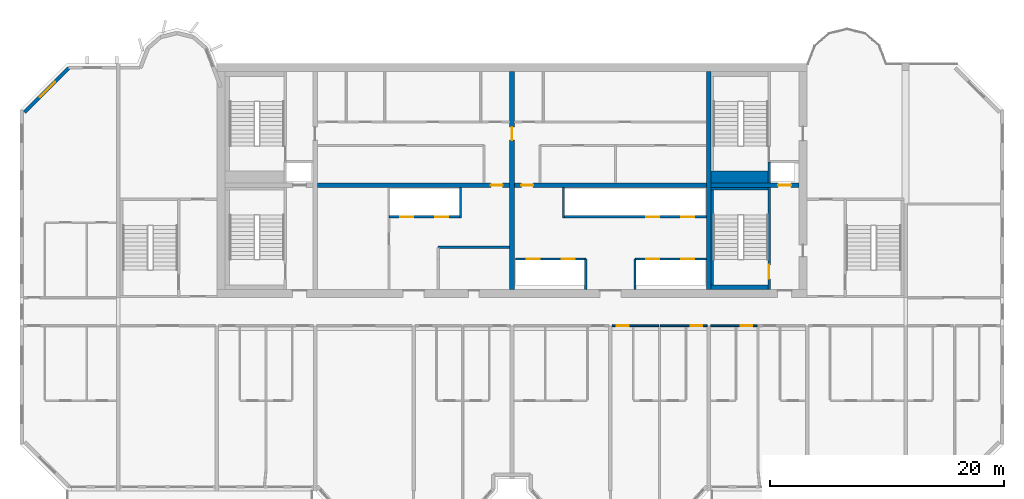
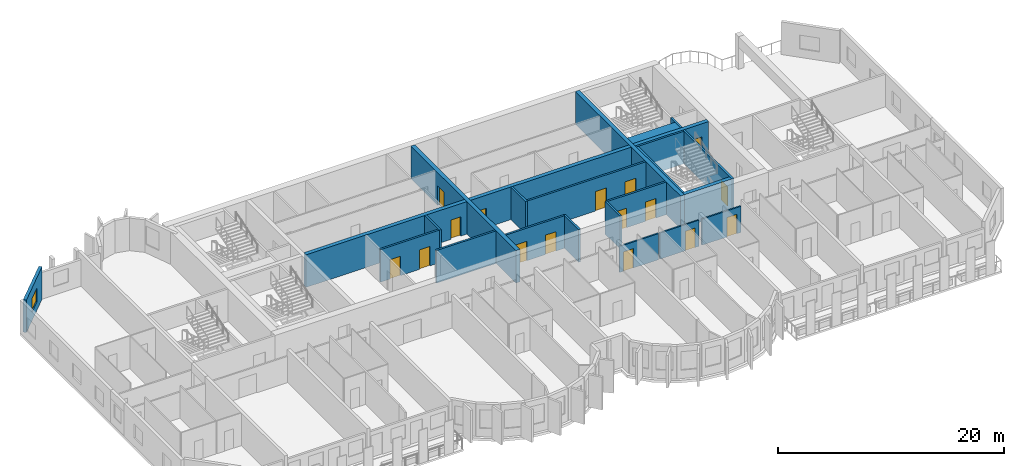
# One storey, part 6 of 13: 24 walls, 16 doors, 1 window, 17 openings.
"""IFC4 building model written with IfcOpenShell, lengths in metres."""

import ifcopenshell
import ifcopenshell.guid

model = None  # the IFC model being written
_history = None  # IfcOwnerHistory: only IFC2X3 demands one
_inside = {}  # id of a spatial element -> (the spatial element, [elements in it])
_under = {}  # id of a project, library or spatial element -> (it, [spatial elements below it])
_declared = {}  # id of a project -> (the project, [libraries it declares])
_typed = {}  # id of a type object -> (the type object, [elements of that type])
_made_of = {}  # id of a material, layer set ... -> (it, [elements and type objects made of it])


def new_model(schema):
    """Start an empty IFC model of exactly this schema.

    Asked for "IFC4X3", IfcOpenShell would pick the latest addendum, in which some entities
    have other attributes; the version numbers below select the first issue.
    IFC2X3 requires an IfcOwnerHistory on every rooted entity: one is made here for all.
    """
    global model, _history
    if schema == "IFC4X3":
        model = ifcopenshell.file(schema_version=(4, 3, 0, 0))
    else:
        model = ifcopenshell.file(schema=schema)
    _inside.clear()
    _under.clear()
    _declared.clear()
    _typed.clear()
    _made_of.clear()
    _history = None
    if model.schema == "IFC2X3":
        org = make("IfcOrganization", Name="unknown")
        user = make(
            "IfcPersonAndOrganization",
            ThePerson=make("IfcPerson", FamilyName="unknown"),
            TheOrganization=org,
        )
        app = make(
            "IfcApplication",
            ApplicationDeveloper=org,
            Version="unknown",
            ApplicationFullName="unknown",
            ApplicationIdentifier="unknown",
        )
        _history = make(
            "IfcOwnerHistory",
            OwningUser=user,
            OwningApplication=app,
            ChangeAction="ADDED",
            CreationDate=0,
        )
    return model


def make(cls, **values):
    """One entity of the class cls with the attributes given. An attribute that is None is left unset."""
    return model.create_entity(
        cls, **{name: value for name, value in values.items() if value is not None}
    )


def rooted(cls, **values):
    """An entity with a GlobalId (a new one), such as an element, a storey or a relation."""
    return make(cls, GlobalId=ifcopenshell.guid.new(), OwnerHistory=_history, **values)


def si_unit(unit_type, name, prefix=None):
    """IfcSIUnit, for example si_unit("LENGTHUNIT", "METRE", prefix="MILLI")."""
    return make("IfcSIUnit", UnitType=unit_type, Prefix=prefix, Name=name)


def assignment(units):
    """IfcUnitAssignment: the units of a project."""
    return None if units is None else make("IfcUnitAssignment", Units=units)


def point(xyz):
    """IfcCartesianPoint."""
    return None if xyz is None else make("IfcCartesianPoint", Coordinates=xyz)


def direction(xyz):
    """IfcDirection."""
    return None if xyz is None else make("IfcDirection", DirectionRatios=xyz)


def frame(location, z_axis=None, x_axis=None):
    """IfcAxis2Placement3D, a coordinate frame: its origin and axes. An axis left out is left unset."""
    return make(
        "IfcAxis2Placement3D",
        Location=point(location),
        Axis=direction(z_axis),
        RefDirection=direction(x_axis),
    )


def frame_2d(location, x_axis=None):
    """IfcAxis2Placement2D, a coordinate frame in the plane: its origin and x axis."""
    return make(
        "IfcAxis2Placement2D", Location=point(location), RefDirection=direction(x_axis)
    )


def origin():
    """The frame at (0, 0, 0) with its axes left unset."""
    return frame((0.0, 0.0, 0.0))


def place(relative_to, where):
    """IfcLocalPlacement: puts the frame where relative to a parent placement (None: the world)."""
    return make(
        "IfcLocalPlacement", PlacementRelTo=relative_to, RelativePlacement=where
    )


def context(
    kind, dimensions, precision=None, world=None, true_north=None, identifier=None
):
    """IfcGeometricRepresentationContext, for example the 3D "Model" context."""
    return make(
        "IfcGeometricRepresentationContext",
        ContextIdentifier=identifier,
        ContextType=kind,
        CoordinateSpaceDimension=dimensions,
        Precision=precision,
        WorldCoordinateSystem=world,
        TrueNorth=true_north,
    )


def subcontext(parent, identifier, kind, view, scale=None):
    """IfcGeometricRepresentationSubContext, for example "Body" below "Model"."""
    return make(
        "IfcGeometricRepresentationSubContext",
        ContextIdentifier=identifier,
        ContextType=kind,
        ParentContext=parent,
        TargetScale=scale,
        TargetView=view,
    )


def project(units=None, contexts=None):
    """IfcProject with its units and contexts."""
    return rooted(
        "IfcProject",
        Name="project",
        RepresentationContexts=contexts,
        UnitsInContext=assignment(units),
    )


def spatial(cls, under=None, at=None, **own):
    """A site, building, storey or space (cls), placed at a placement, below another one or the project."""
    s = rooted(cls, ObjectPlacement=at, **own)
    if under is not None:
        _under.setdefault(under.id(), (under, []))[1].append(s)
    return s


def profile(cls, at=None, kind="AREA", **sizes):
    """A parametric profile (cls). Its sizes go by their IFC names, for example OverallWidth=200.0."""
    return make(cls, ProfileType=kind, Position=at, **sizes)


def rectangle(**sizes):
    """IfcRectangleProfileDef."""
    return profile("IfcRectangleProfileDef", **sizes)


def extrude(swept, where, along, depth):
    """IfcExtrudedAreaSolid: the profile swept, set in the frame where, extruded along a direction by depth."""
    return make(
        "IfcExtrudedAreaSolid",
        SweptArea=swept,
        Position=where,
        ExtrudedDirection=direction(along),
        Depth=depth,
    )


def shape(context_of_items, identifier, shape_type, items):
    """IfcShapeRepresentation: the items that make up one representation, for example the "Body"."""
    return make(
        "IfcShapeRepresentation",
        ContextOfItems=context_of_items,
        RepresentationIdentifier=identifier,
        RepresentationType=shape_type,
        Items=items,
    )


def source(mapping_origin, context_of_items, identifier, shape_type, items):
    """IfcRepresentationMap: a shape defined once, which mapped items show again and again."""
    return make(
        "IfcRepresentationMap",
        MappingOrigin=mapping_origin,
        MappedRepresentation=shape(context_of_items, identifier, shape_type, items),
    )


def transform(
    local_origin,
    x_axis=None,
    y_axis=None,
    z_axis=None,
    scale=None,
    scale2=None,
    scale3=None,
    uniform=True,
):
    """IfcCartesianTransformationOperator3D, or its non-uniform kind. x_axis, y_axis, z_axis: its Axis1, 2, 3."""
    if uniform:
        return make(
            "IfcCartesianTransformationOperator3D",
            Axis1=direction(x_axis),
            Axis2=direction(y_axis),
            LocalOrigin=point(local_origin),
            Scale=scale,
            Axis3=direction(z_axis),
        )
    return make(
        "IfcCartesianTransformationOperator3DnonUniform",
        Axis1=direction(x_axis),
        Axis2=direction(y_axis),
        LocalOrigin=point(local_origin),
        Scale=scale,
        Axis3=direction(z_axis),
        Scale2=scale2,
        Scale3=scale3,
    )


def mapped(mapping_source, mapping_target):
    """IfcMappedItem: shows the shape of a source again, moved by a transform."""
    return make(
        "IfcMappedItem", MappingSource=mapping_source, MappingTarget=mapping_target
    )


def material(Name=None, Category=None):
    """IfcMaterial."""
    return make("IfcMaterial", Name=Name, Category=Category)


def layer(
    of_material, thickness, ventilated=None, Name=None, Category=None, Priority=None
):
    """IfcMaterialLayer: one layer of a wall or slab, of a material (None: an air gap)."""
    return make(
        "IfcMaterialLayer",
        Material=of_material,
        LayerThickness=thickness,
        IsVentilated=ventilated,
        Name=Name,
        Category=Category,
        Priority=Priority,
    )


def layer_set(layers, Name=None):
    """IfcMaterialLayerSet."""
    return make("IfcMaterialLayerSet", MaterialLayers=layers, LayerSetName=Name)


def made_of(thing, what):
    """Note that an element or type object is made of a material, layer set ...; save() writes the relation."""
    if what is not None:
        _made_of.setdefault(what.id(), (what, []))[1].append(thing)
    return thing


def type_object(cls, material=None, **own):
    """A type object (cls), such as IfcWallType, which elements share."""
    return made_of(rooted(cls, **own), material)


def element(
    cls,
    number,
    at=None,
    inside=None,
    cuts=None,
    type_object=None,
    material=None,
    context=None,
    identifier="Body",
    shape_type=None,
    held_by="IfcProductDefinitionShape",
    body=None,
    shapes=None,
    **own,
):
    """One element of the class cls, such as IfcWall. Its Tag is "e" and its number.

    at: its placement. inside: the storey or other place that contains it. cuts: it is an
    opening in that element (IfcRelVoidsElement). A single representation is given by context,
    identifier, shape_type and body (its items); several are given by shapes. held_by: the class
    of the entity that holds the representations. save() writes the other relations.
    """
    e = rooted(cls, Tag="e%d" % number, ObjectPlacement=at, **own)
    if body is not None:
        shapes = [shape(context, identifier, shape_type, body)]
    if shapes is not None:
        e.Representation = make(held_by, Representations=shapes)
    if inside is not None:
        _inside.setdefault(inside.id(), (inside, []))[1].append(e)
    if cuts is not None:
        rooted(
            "IfcRelVoidsElement", RelatingBuildingElement=cuts, RelatedOpeningElement=e
        )
    if type_object is not None:
        _typed.setdefault(type_object.id(), (type_object, []))[1].append(e)
    return made_of(e, material)


def fill(opening, filler):
    """IfcRelFillsElement: the door or window that sits in an opening."""
    return rooted(
        "IfcRelFillsElement",
        RelatingOpeningElement=opening,
        RelatedBuildingElement=filler,
    )


def aggregate(whole, parts):
    """IfcRelAggregates: a whole, such as a stair, and the parts it consists of."""
    return rooted("IfcRelAggregates", RelatingObject=whole, RelatedObjects=parts)


def save(model, path):
    """Write the relations noted so far, then the file.

    IfcRelAggregates (storeys below a building ...), IfcRelContainedInSpatialStructure (elements
    in a storey), IfcRelDefinesByType, IfcRelAssociatesMaterial and IfcRelDeclares: one each for
    every whole, place, type object, material and project.
    """
    for whole, parts in _under.values():
        aggregate(whole, parts)
    for where, things in _inside.values():
        rooted(
            "IfcRelContainedInSpatialStructure",
            RelatedElements=things,
            RelatingStructure=where,
        )
    for kind, things in _typed.values():
        rooted("IfcRelDefinesByType", RelatedObjects=things, RelatingType=kind)
    for what, things in _made_of.values():
        rooted("IfcRelAssociatesMaterial", RelatedObjects=things, RelatingMaterial=what)
    for by, libraries in _declared.values():
        rooted("IfcRelDeclares", RelatingContext=by, RelatedDefinitions=libraries)
    model.write(path)


model = new_model("IFC4")

# Units and contexts
model_context = context("Model", 3, precision=1e-05, world=origin(), true_north=direction((0.0, 1.0)))
body_context = subcontext(model_context, "Body", "Model", "MODEL_VIEW")
ifc_project = project(units=[si_unit("LENGTHUNIT", "METRE"), si_unit("AREAUNIT", "SQUARE_METRE"), si_unit("VOLUMEUNIT", "CUBIC_METRE"), si_unit("PLANEANGLEUNIT", "RADIAN"), si_unit("MASSUNIT", "GRAM", prefix="KILO")], contexts=[model_context])

# Site, building, storey
site_placement = place(None, origin())
site = spatial("IfcSite", under=ifc_project, at=site_placement, CompositionType="ELEMENT")
building_placement = place(site_placement, origin())
building = spatial("IfcBuilding", under=site, at=building_placement, Name="Vanashikhar Sky Hotel", CompositionType="ELEMENT")
storey_placement = place(building_placement, frame((0.0, 0.0, 155.39990234375)))
storey = spatial("IfcBuildingStorey", under=building, at=storey_placement, Name="L37", CompositionType="ELEMENT", Elevation=155.39990234375)

# Wall, opening, door
ifc_material_1 = material(Name="Concrete M60", Category="concrete")
ifc_layer_1 = layer(ifc_material_1, 0.39990234375)
ifc_layer_set_1 = layer_set([ifc_layer_1], Name="RC core inner wall 400 Concrete M60")
wall_type_1 = type_object("IfcWallType", Name="RC core inner wall 400 Concrete M60", PredefinedType="SHEAR", material=ifc_layer_set_1)
shared_shape_1 = source(origin(), body_context, "Body", "SweptSolid", [
    extrude(rectangle(XDim=18.60009765625, YDim=0.39990234375, at=frame_2d((9.300048828125, 0.0))), origin(), (0.0, 0.0, 1.0), 3.52001953125),
])
wall_1_placement = place(storey_placement, frame((50.39990234375, 22.699951171875, 0.0), z_axis=(0.0, 0.0, 1.0), x_axis=(0.0, 1.0, 0.0)))
wall_1 = element("IfcWall", 1, at=wall_1_placement, inside=storey, type_object=wall_type_1, Name="KW-L37-KX2", PredefinedType="SHEAR", context=body_context, shape_type="MappedRepresentation", body=[
    mapped(shared_shape_1, transform((0.0, 0.0, 0.0), scale=1.0)),
])
shared_shape_2 = source(origin(), body_context, "Body", "SweptSolid", [
    extrude(rectangle(XDim=1.10009765625, YDim=2.10009765625, at=frame_2d((0.550048828125, 1.050048828125))), frame((0.0, 0.2099609375, 0.0), z_axis=(0.0, -1.0, 0.0), x_axis=(1.0, 0.0, 0.0)), (0.0, 0.0, 1.0), 0.419921875),
])
opening_1_placement = place(wall_1_placement, frame((12.75, 0.0, 0.0)))
opening_1 = element("IfcOpeningElement", 2, at=opening_1_placement, cuts=wall_1, Name="Opening DC-4-C", PredefinedType="OPENING", context=body_context, shape_type="MappedRepresentation", body=[
    mapped(shared_shape_2, transform((0.0, 0.0, 0.0), scale=1.0)),
])
ifc_material_2 = material(Name="Steel", Category="steel")
door_type_1 = type_object("IfcDoorType", Name="Service door 1100 FD60", OperationType="NOTDEFINED", PredefinedType="DOOR", material=ifc_material_2)
shared_shape_3 = source(origin(), body_context, "Body", "SweptSolid", [
    extrude(rectangle(XDim=1.10009765625, YDim=2.10009765625, at=frame_2d((0.550048828125, 1.050048828125))), frame((0.0, 0.02490234375, 0.0), z_axis=(0.0, -1.0, 0.0), x_axis=(1.0, 0.0, 0.0)), (0.0, 0.0, 1.0), 0.050048828125),
])
door_1_placement = place(opening_1_placement, origin())
door_1 = element("IfcDoor", 3, at=door_1_placement, inside=storey, type_object=door_type_1, Name="Service door 1100 FD60", OperationType="SINGLE_SWING_LEFT", OverallHeight=2.10009765625, OverallWidth=1.10009765625, PredefinedType="DOOR", context=body_context, shape_type="MappedRepresentation", body=[
    mapped(shared_shape_3, transform((0.0, 0.0, 0.0), scale=1.0)),
])
fill(opening_1, door_1)

# Wall
wall_2_placement = place(storey_placement, frame((67.199951171875, 22.699951171875, 0.0), z_axis=(0.0, 0.0, 1.0), x_axis=(0.0, 1.0, 0.0)))
element("IfcWall", 4, at=wall_2_placement, inside=storey, type_object=wall_type_1, Name="KW-L37-KX3", PredefinedType="SHEAR", context=body_context, shape_type="MappedRepresentation", body=[
    mapped(shared_shape_1, transform((0.0, 0.0, 0.0), scale=1.0)),
])

# Wall, opening, door
shared_shape_4 = source(origin(), body_context, "Body", "SweptSolid", [
    extrude(rectangle(XDim=7.5, YDim=0.39990234375, at=frame_2d((3.75, 0.0))), origin(), (0.0, 0.0, 1.0), 3.52001953125),
])
wall_3_placement = place(storey_placement, frame((67.39990234375, 31.60009765625, 0.0), z_axis=(0.0, 0.0, 1.0), x_axis=(1.0, 0.0, 0.0)))
wall_3 = element("IfcWall", 5, at=wall_3_placement, inside=storey, type_object=wall_type_1, Name="KW-L37-KY4", PredefinedType="SHEAR", context=body_context, shape_type="MappedRepresentation", body=[
    mapped(shared_shape_4, transform((0.0, 0.0, 0.0), scale=1.0)),
])
opening_2_placement = place(wall_3_placement, frame((5.72509765625, 0.0, 0.0)))
opening_2 = element("IfcOpeningElement", 6, at=opening_2_placement, cuts=wall_3, Name="Opening LD", PredefinedType="OPENING", context=body_context, shape_type="MappedRepresentation", body=[
    mapped(shared_shape_2, transform((0.0, 0.0, 0.0), scale=1.0)),
])
ifc_material_3 = material(Name="Stainless steel", Category="steel")
door_type_2 = type_object("IfcDoorType", Name="Lift landing door 1100", OperationType="NOTDEFINED", PredefinedType="DOOR", material=ifc_material_3)
door_2_placement = place(opening_2_placement, origin())
door_2 = element("IfcDoor", 7, at=door_2_placement, inside=storey, type_object=door_type_2, Name="Lift landing door 1100", OperationType="SLIDING_TO_RIGHT", OverallHeight=2.10009765625, OverallWidth=1.10009765625, PredefinedType="DOOR", context=body_context, shape_type="MappedRepresentation", body=[
    mapped(shared_shape_3, transform((0.0, 0.0, 0.0), scale=1.0)),
])
fill(opening_2, door_2)

shared_shape_5 = source(origin(), body_context, "Body", "SweptSolid", [
    extrude(rectangle(XDim=16.39990234375, YDim=0.39990234375, at=frame_2d((8.199951171875, 0.0))), origin(), (0.0, 0.0, 1.0), 3.52001953125),
])
wall_4_placement = place(storey_placement, frame((33.800048828125, 31.60009765625, 0.0), z_axis=(0.0, 0.0, 1.0), x_axis=(1.0, 0.0, 0.0)))
wall_4 = element("IfcWall", 8, at=wall_4_placement, inside=storey, type_object=wall_type_1, Name="KW-L37-KY2", PredefinedType="SHEAR", context=body_context, shape_type="MappedRepresentation", body=[
    mapped(shared_shape_5, transform((0.0, 0.0, 0.0), scale=1.0)),
])
shared_shape_6 = source(origin(), body_context, "Body", "SweptSolid", [
    extrude(rectangle(XDim=1.0, YDim=2.10009765625, at=frame_2d((0.5, 1.050048828125))), frame((0.0, 0.2099609375, 0.0), z_axis=(0.0, -1.0, 0.0), x_axis=(1.0, 0.0, 0.0)), (0.0, 0.0, 1.0), 0.419921875),
])
opening_3_placement = place(wall_4_placement, frame((14.800048828125, 0.0, 0.0)))
opening_3 = element("IfcOpeningElement", 9, at=opening_3_placement, cuts=wall_4, Name="Opening DC-4", PredefinedType="OPENING", context=body_context, shape_type="MappedRepresentation", body=[
    mapped(shared_shape_6, transform((0.0, 0.0, 0.0), scale=1.0)),
])
door_type_3 = type_object("IfcDoorType", Name="Service door 1000 FD60", OperationType="NOTDEFINED", PredefinedType="DOOR", material=ifc_material_2)
shared_shape_7 = source(origin(), body_context, "Body", "SweptSolid", [
    extrude(rectangle(XDim=1.0, YDim=2.10009765625, at=frame_2d((0.5, 1.050048828125))), frame((0.0, 0.02490234375, 0.0), z_axis=(0.0, -1.0, 0.0), x_axis=(1.0, 0.0, 0.0)), (0.0, 0.0, 1.0), 0.050048828125),
])
door_3_placement = place(opening_3_placement, origin())
door_3 = element("IfcDoor", 10, at=door_3_placement, inside=storey, type_object=door_type_3, Name="Service door 1000 FD60", OperationType="SINGLE_SWING_LEFT", OverallHeight=2.10009765625, OverallWidth=1.0, PredefinedType="DOOR", context=body_context, shape_type="MappedRepresentation", body=[
    mapped(shared_shape_7, transform((0.0, 0.0, 0.0), scale=1.0)),
])
fill(opening_3, door_3)

wall_5_placement = place(storey_placement, frame((50.60009765625, 31.60009765625, 0.0), z_axis=(0.0, 0.0, 1.0), x_axis=(1.0, 0.0, 0.0)))
wall_5 = element("IfcWall", 11, at=wall_5_placement, inside=storey, type_object=wall_type_1, Name="KW-L37-KY3", PredefinedType="SHEAR", context=body_context, shape_type="MappedRepresentation", body=[
    mapped(shared_shape_5, transform((0.0, 0.0, 0.0), scale=1.0)),
])
opening_4_placement = place(wall_5_placement, frame((0.60009765625, 0.0, 0.0)))
opening_4 = element("IfcOpeningElement", 12, at=opening_4_placement, cuts=wall_5, Name="Opening DC-4", PredefinedType="OPENING", context=body_context, shape_type="MappedRepresentation", body=[
    mapped(shared_shape_6, transform((0.0, 0.0, 0.0), scale=1.0)),
])
door_4_placement = place(opening_4_placement, origin())
door_4 = element("IfcDoor", 13, at=door_4_placement, inside=storey, type_object=door_type_3, Name="Service door 1000 FD60", OperationType="SINGLE_SWING_RIGHT", OverallHeight=2.10009765625, OverallWidth=1.0, PredefinedType="DOOR", context=body_context, shape_type="MappedRepresentation", body=[
    mapped(shared_shape_7, transform((0.0, 0.0, 0.0), scale=1.0)),
])
fill(opening_4, door_4)

# Wall, opening, window
ifc_material_4 = material(Name="Concrete M50", Category="concrete")
ifc_layer_2 = layer(ifc_material_4, 0.300048828125)
ifc_layer_set_2 = layer_set([ifc_layer_2], Name="Lobe wall 300")
wall_type_2 = type_object("IfcWallType", Name="Lobe wall 300", PredefinedType="SOLIDWALL", material=ifc_layer_set_2)
shared_shape_8 = source(origin(), body_context, "Body", "SweptSolid", [
    extrude(rectangle(XDim=5.32568359375, YDim=0.300048828125, at=frame_2d((2.662841796875, 0.0))), origin(), (0.0, 0.0, 1.0), 3.52001953125),
])
wall_6_placement = place(storey_placement, frame((12.565673828125, 41.60009765625, 0.0), z_axis=(0.0, 0.0, 1.0), x_axis=(-0.707083859269, -0.707129702361, 0.0)))
wall_6 = element("IfcWall", 14, at=wall_6_placement, inside=storey, type_object=wall_type_2, Name="Corner wall", PredefinedType="SOLIDWALL", context=body_context, shape_type="MappedRepresentation", body=[
    mapped(shared_shape_8, transform((0.0, 0.0, 0.0), scale=1.0)),
])
shared_shape_9 = source(origin(), body_context, "Body", "SweptSolid", [
    extrude(rectangle(XDim=1.800048828125, YDim=1.5, at=frame_2d((0.89990234375, 0.75))), frame((0.0, 0.16015625, 0.0), z_axis=(0.0, -1.0, 0.0), x_axis=(1.0, 0.0, 0.0)), (0.0, 0.0, 1.0), 0.320068359375),
])
opening_5_placement = place(wall_6_placement, frame((1.689453125, 0.0, 0.89990234375)))
opening_5 = element("IfcOpeningElement", 15, at=opening_5_placement, cuts=wall_6, Name="Opening WN-4", PredefinedType="OPENING", context=body_context, shape_type="MappedRepresentation", body=[
    mapped(shared_shape_9, transform((0.0, 0.0, 0.0), scale=1.0)),
])
ifc_material_5 = material(Name="Glass", Category="glass")
window_type = type_object("IfcWindowType", Name="Corner window 1800 x 1500", PartitioningType="SINGLE_PANEL", PredefinedType="WINDOW", material=ifc_material_5)
shared_shape_10 = source(origin(), body_context, "Body", "SweptSolid", [
    extrude(rectangle(XDim=1.800048828125, YDim=1.5, at=frame_2d((0.89990234375, 0.75))), frame((0.0, 0.030029296875, 0.0), z_axis=(0.0, -1.0, 0.0), x_axis=(1.0, 0.0, 0.0)), (0.0, 0.0, 1.0), 0.06005859375),
])
window_placement = place(opening_5_placement, origin())
window = element("IfcWindow", 16, at=window_placement, inside=storey, type_object=window_type, Name="Window WN-4", OverallHeight=1.5, OverallWidth=1.800048828125, PartitioningType="SINGLE_PANEL", PredefinedType="WINDOW", context=body_context, shape_type="MappedRepresentation", body=[
    mapped(shared_shape_10, transform((0.0, 0.0, 0.0), scale=1.0)),
])
fill(opening_5, window)

# Wall, openings, doors
ifc_material_6 = material(Name="Concrete M40", Category="concrete")
ifc_layer_3 = layer(ifc_material_6, 0.199951171875)
ifc_layer_set_3 = layer_set([ifc_layer_3], Name="Shaft wall 200")
wall_type_3 = type_object("IfcWallType", Name="Shaft wall 200", PredefinedType="SOLIDWALL", material=ifc_layer_set_3)
shared_shape_11 = source(origin(), body_context, "Body", "SweptSolid", [
    extrude(rectangle(XDim=6.0, YDim=0.199951171875, at=frame_2d((3.0, 0.0))), origin(), (0.0, 0.0, 1.0), 3.52001953125),
])
wall_7_placement = place(storey_placement, frame((39.89990234375, 28.89990234375, 0.0), z_axis=(0.0, 0.0, 1.0), x_axis=(1.0, 0.0, 0.0)))
wall_7 = element("IfcWall", 17, at=wall_7_placement, inside=storey, type_object=wall_type_3, Name="Shaft wall 200", PredefinedType="SOLIDWALL", context=body_context, shape_type="MappedRepresentation", body=[
    mapped(shared_shape_11, transform((0.0, 0.0, 0.0), scale=1.0)),
])
shared_shape_12 = source(origin(), body_context, "Body", "SweptSolid", [
    extrude(rectangle(XDim=1.10009765625, YDim=2.10009765625, at=frame_2d((0.550048828125, 1.050048828125))), frame((0.0, 0.10986328125, 0.0), z_axis=(0.0, -1.0, 0.0), x_axis=(1.0, 0.0, 0.0)), (0.0, 0.0, 1.0), 0.219970703125),
])
opening_6_placement = place(wall_7_placement, frame((0.949951171875, 0.0, 0.0)))
opening_6 = element("IfcOpeningElement", 18, at=opening_6_placement, cuts=wall_7, Name="Opening LD", PredefinedType="OPENING", context=body_context, shape_type="MappedRepresentation", body=[
    mapped(shared_shape_12, transform((0.0, 0.0, 0.0), scale=1.0)),
])
opening_7_placement = place(wall_7_placement, frame((3.949951171875, 0.0, 0.0)))
opening_7 = element("IfcOpeningElement", 19, at=opening_7_placement, cuts=wall_7, Name="Opening LD", PredefinedType="OPENING", context=body_context, shape_type="MappedRepresentation", body=[
    mapped(shared_shape_12, transform((0.0, 0.0, 0.0), scale=1.0)),
])
door_5_placement = place(opening_6_placement, origin())
door_5 = element("IfcDoor", 20, at=door_5_placement, inside=storey, type_object=door_type_2, Name="Lift landing door 1100", OperationType="SLIDING_TO_LEFT", OverallHeight=2.10009765625, OverallWidth=1.10009765625, PredefinedType="DOOR", context=body_context, shape_type="MappedRepresentation", body=[
    mapped(shared_shape_3, transform((0.0, 0.0, 0.0), scale=1.0)),
])
fill(opening_6, door_5)
door_6_placement = place(opening_7_placement, origin())
door_6 = element("IfcDoor", 21, at=door_6_placement, inside=storey, type_object=door_type_2, Name="Lift landing door 1100", OperationType="SLIDING_TO_RIGHT", OverallHeight=2.10009765625, OverallWidth=1.10009765625, PredefinedType="DOOR", context=body_context, shape_type="MappedRepresentation", body=[
    mapped(shared_shape_3, transform((0.0, 0.0, 0.0), scale=1.0)),
])
fill(opening_7, door_6)

wall_8_placement = place(storey_placement, frame((56.699951171875, 25.300048828125, 0.0), z_axis=(0.0, 0.0, 1.0), x_axis=(-1.0, 0.0, 0.0)))
wall_8 = element("IfcWall", 22, at=wall_8_placement, inside=storey, type_object=wall_type_3, Name="Shaft wall 200", PredefinedType="SOLIDWALL", context=body_context, shape_type="MappedRepresentation", body=[
    mapped(shared_shape_11, transform((0.0, 0.0, 0.0), scale=1.0)),
])
opening_8_placement = place(wall_8_placement, frame((0.949951171875, 0.0, 0.0)))
opening_8 = element("IfcOpeningElement", 23, at=opening_8_placement, cuts=wall_8, Name="Opening LD", PredefinedType="OPENING", context=body_context, shape_type="MappedRepresentation", body=[
    mapped(shared_shape_12, transform((0.0, 0.0, 0.0), scale=1.0)),
])
opening_9_placement = place(wall_8_placement, frame((3.949951171875, 0.0, 0.0)))
opening_9 = element("IfcOpeningElement", 24, at=opening_9_placement, cuts=wall_8, Name="Opening LD", PredefinedType="OPENING", context=body_context, shape_type="MappedRepresentation", body=[
    mapped(shared_shape_12, transform((0.0, 0.0, 0.0), scale=1.0)),
])
door_7_placement = place(opening_8_placement, origin())
door_7 = element("IfcDoor", 25, at=door_7_placement, inside=storey, type_object=door_type_2, Name="Lift landing door 1100", OperationType="SLIDING_TO_RIGHT", OverallHeight=2.10009765625, OverallWidth=1.10009765625, PredefinedType="DOOR", context=body_context, shape_type="MappedRepresentation", body=[
    mapped(shared_shape_3, transform((0.0, 0.0, 0.0), scale=1.0)),
])
fill(opening_8, door_7)
door_8_placement = place(opening_9_placement, origin())
door_8 = element("IfcDoor", 26, at=door_8_placement, inside=storey, type_object=door_type_2, Name="Lift landing door 1100", OperationType="SLIDING_TO_LEFT", OverallHeight=2.10009765625, OverallWidth=1.10009765625, PredefinedType="DOOR", context=body_context, shape_type="MappedRepresentation", body=[
    mapped(shared_shape_3, transform((0.0, 0.0, 0.0), scale=1.0)),
])
fill(opening_9, door_8)

# Walls
ifc_layer_4 = layer(ifc_material_4, 0.199951171875)
ifc_layer_set_4 = layer_set([ifc_layer_4], Name="Stair infill wall 200")
wall_type_4 = type_object("IfcWallType", Name="Stair infill wall 200", PredefinedType="SOLIDWALL", material=ifc_layer_set_4)
shared_shape_13 = source(origin(), body_context, "Body", "SweptSolid", [
    extrude(rectangle(XDim=8.099853515625, YDim=0.199951171875, at=frame_2d((4.0498046875, 0.0))), origin(), (0.0, 0.0, 1.0), 3.52001953125),
])
wall_9_placement = place(storey_placement, frame((67.5, 23.10009765625, 0.0), z_axis=(0.0, 0.0, 1.0), x_axis=(0.0, 1.0, 0.0)))
element("IfcWall", 27, at=wall_9_placement, inside=storey, type_object=wall_type_4, Name="Stair infill wall 200", PredefinedType="SOLIDWALL", context=body_context, shape_type="MappedRepresentation", body=[
    mapped(shared_shape_13, transform((0.0, 0.0, 0.0), scale=1.0)),
])
shared_shape_14 = source(origin(), body_context, "Body", "SweptSolid", [
    extrude(rectangle(XDim=2.60009765625, YDim=0.199951171875, at=frame_2d((1.300048828125, 0.0))), origin(), (0.0, 0.0, 1.0), 3.52001953125),
])
for number, where, z_axis, x_axis, name in (
    (28, (60.89990234375, 22.699951171875, 0.0), (0.0, 0.0, 1.0), (0.0, 1.0, 0.0), "Shaft wall 200"),
    (29, (56.699951171875, 22.699951171875, 0.0), (0.0, 0.0, 1.0), (0.0, 1.0, 0.0), "Shaft wall 200"),
):
    element("IfcWall", number, at=place(storey_placement, frame(where, z_axis=z_axis, x_axis=x_axis)), inside=storey, type_object=wall_type_3, Name=name, PredefinedType="SOLIDWALL", context=body_context, shape_type="MappedRepresentation", body=[
        mapped(shared_shape_14, transform((0.0, 0.0, 0.0), scale=1.0)),
    ])
shared_shape_15 = source(origin(), body_context, "Body", "SweptSolid", [
    extrude(rectangle(XDim=2.599853515625, YDim=0.199951171875, at=frame_2d((1.2998046875, 0.0))), origin(), (0.0, 0.0, 1.0), 3.52001953125),
])
for number, where, z_axis, x_axis, name in (
    (30, (46.0, 28.800048828125, 0.0), (0.0, 0.0, 1.0), (0.0, 1.0, 0.0), "Shaft wall 200"),
    (31, (54.800048828125, 28.800048828125, 0.0), (0.0, 0.0, 1.0), (0.0, 1.0, 0.0), "Shaft wall 200"),
):
    element("IfcWall", number, at=place(storey_placement, frame(where, z_axis=z_axis, x_axis=x_axis)), inside=storey, type_object=wall_type_3, Name=name, PredefinedType="SOLIDWALL", context=body_context, shape_type="MappedRepresentation", body=[
        mapped(shared_shape_15, transform((0.0, 0.0, 0.0), scale=1.0)),
    ])
ifc_material_7 = material(Name="Gypsum board partition")
ifc_layer_5 = layer(ifc_material_7, 0.14990234375)
ifc_layer_set_5 = layer_set([ifc_layer_5], Name="Service partition 150")
wall_type_5 = type_object("IfcWallType", Name="Service partition 150", PredefinedType="PARTITIONING", material=ifc_layer_set_5)
shared_shape_16 = source(origin(), body_context, "Body", "SweptSolid", [
    extrude(rectangle(XDim=6.099853515625, YDim=0.199951171875, at=frame_2d((3.0498046875, 0.0))), origin(), (0.0, 0.0, 1.0), 3.52001953125),
])
wall_10_placement = place(storey_placement, frame((44.10009765625, 26.300048828125, 0.0), z_axis=(0.0, 0.0, 1.0), x_axis=(1.0, 0.0, 0.0)))
element("IfcWall", 32, at=wall_10_placement, inside=storey, type_object=wall_type_5, Name="Service partition 150", PredefinedType="PARTITIONING", context=body_context, shape_type="MappedRepresentation", body=[
    mapped(shared_shape_16, transform((0.0, 0.0, 0.0), scale=1.0)),
])

# Wall, openings, doors
shared_shape_17 = source(origin(), body_context, "Body", "SweptSolid", [
    extrude(rectangle(XDim=6.10009765625, YDim=0.199951171875, at=frame_2d((3.050048828125, 0.0))), origin(), (0.0, 0.0, 1.0), 3.52001953125),
])
wall_11_placement = place(storey_placement, frame((67.0, 25.300048828125, 0.0), z_axis=(0.0, 0.0, 1.0), x_axis=(-1.0, 0.0, 0.0)))
wall_11 = element("IfcWall", 33, at=wall_11_placement, inside=storey, type_object=wall_type_3, Name="Shaft wall 200", PredefinedType="SOLIDWALL", context=body_context, shape_type="MappedRepresentation", body=[
    mapped(shared_shape_17, transform((0.0, 0.0, 0.0), scale=1.0)),
])
opening_10_placement = place(wall_11_placement, frame((1.050048828125, 0.0, 0.0)))
opening_10 = element("IfcOpeningElement", 34, at=opening_10_placement, cuts=wall_11, Name="Opening LD", PredefinedType="OPENING", context=body_context, shape_type="MappedRepresentation", body=[
    mapped(shared_shape_12, transform((0.0, 0.0, 0.0), scale=1.0)),
])
opening_11_placement = place(wall_11_placement, frame((4.050048828125, 0.0, 0.0)))
opening_11 = element("IfcOpeningElement", 35, at=opening_11_placement, cuts=wall_11, Name="Opening LD", PredefinedType="OPENING", context=body_context, shape_type="MappedRepresentation", body=[
    mapped(shared_shape_12, transform((0.0, 0.0, 0.0), scale=1.0)),
])
door_9_placement = place(opening_10_placement, origin())
door_9 = element("IfcDoor", 36, at=door_9_placement, inside=storey, type_object=door_type_2, Name="Lift landing door 1100", OperationType="SLIDING_TO_RIGHT", OverallHeight=2.10009765625, OverallWidth=1.10009765625, PredefinedType="DOOR", context=body_context, shape_type="MappedRepresentation", body=[
    mapped(shared_shape_3, transform((0.0, 0.0, 0.0), scale=1.0)),
])
fill(opening_10, door_9)
door_10_placement = place(opening_11_placement, origin())
door_10 = element("IfcDoor", 37, at=door_10_placement, inside=storey, type_object=door_type_2, Name="Lift landing door 1100", OperationType="SLIDING_TO_LEFT", OverallHeight=2.10009765625, OverallWidth=1.10009765625, PredefinedType="DOOR", context=body_context, shape_type="MappedRepresentation", body=[
    mapped(shared_shape_3, transform((0.0, 0.0, 0.0), scale=1.0)),
])
fill(opening_11, door_10)

shared_shape_18 = source(origin(), body_context, "Body", "SweptSolid", [
    extrude(rectangle(XDim=12.10009765625, YDim=0.199951171875, at=frame_2d((6.050048828125, 0.0))), origin(), (0.0, 0.0, 1.0), 3.52001953125),
])
wall_12_placement = place(storey_placement, frame((67.0, 28.89990234375, 0.0), z_axis=(0.0, 0.0, 1.0), x_axis=(-1.0, 0.0, 0.0)))
wall_12 = element("IfcWall", 38, at=wall_12_placement, inside=storey, type_object=wall_type_3, Name="Shaft wall 200", PredefinedType="SOLIDWALL", context=body_context, shape_type="MappedRepresentation", body=[
    mapped(shared_shape_18, transform((0.0, 0.0, 0.0), scale=1.0)),
])
opening_12_placement = place(wall_12_placement, frame((1.050048828125, 0.0, 0.0)))
opening_12 = element("IfcOpeningElement", 39, at=opening_12_placement, cuts=wall_12, Name="Opening LD", PredefinedType="OPENING", context=body_context, shape_type="MappedRepresentation", body=[
    mapped(shared_shape_12, transform((0.0, 0.0, 0.0), scale=1.0)),
])
opening_13_placement = place(wall_12_placement, frame((4.050048828125, 0.0, 0.0)))
opening_13 = element("IfcOpeningElement", 40, at=opening_13_placement, cuts=wall_12, Name="Opening LD", PredefinedType="OPENING", context=body_context, shape_type="MappedRepresentation", body=[
    mapped(shared_shape_12, transform((0.0, 0.0, 0.0), scale=1.0)),
])
door_11_placement = place(opening_12_placement, origin())
door_11 = element("IfcDoor", 41, at=door_11_placement, inside=storey, type_object=door_type_2, Name="Lift landing door 1100", OperationType="SLIDING_TO_RIGHT", OverallHeight=2.10009765625, OverallWidth=1.10009765625, PredefinedType="DOOR", context=body_context, shape_type="MappedRepresentation", body=[
    mapped(shared_shape_3, transform((0.0, 0.0, 0.0), scale=1.0)),
])
fill(opening_12, door_11)
door_12_placement = place(opening_13_placement, origin())
door_12 = element("IfcDoor", 42, at=door_12_placement, inside=storey, type_object=door_type_2, Name="Lift landing door 1100", OperationType="SLIDING_TO_LEFT", OverallHeight=2.10009765625, OverallWidth=1.10009765625, PredefinedType="DOOR", context=body_context, shape_type="MappedRepresentation", body=[
    mapped(shared_shape_3, transform((0.0, 0.0, 0.0), scale=1.0)),
])
fill(opening_13, door_12)

# Wall, opening, door
ifc_layer_6 = layer(ifc_material_4, 0.199951171875)
ifc_layer_set_6 = layer_set([ifc_layer_6], Name="Stair wall 200")
wall_type_6 = type_object("IfcWallType", Name="Stair wall 200", PredefinedType="SOLIDWALL", material=ifc_layer_set_6)
shared_shape_19 = source(origin(), body_context, "Body", "SweptSolid", [
    extrude(rectangle(XDim=8.699951171875, YDim=0.199951171875, at=frame_2d((4.35009765625, 0.0))), origin(), (0.0, 0.0, 1.0), 3.52001953125),
])
wall_13_placement = place(storey_placement, frame((72.35009765625, 22.699951171875, 0.0), z_axis=(0.0, 0.0, 1.0), x_axis=(0.0, 1.0, 0.0)))
wall_13 = element("IfcWall", 43, at=wall_13_placement, inside=storey, type_object=wall_type_6, Name="Stair wall 200", PredefinedType="SOLIDWALL", context=body_context, shape_type="MappedRepresentation", body=[
    mapped(shared_shape_19, transform((0.0, 0.0, 0.0), scale=1.0)),
])
shared_shape_20 = source(origin(), body_context, "Body", "SweptSolid", [
    extrude(rectangle(XDim=1.199951171875, YDim=2.10009765625, at=frame_2d((0.60009765625, 1.050048828125))), frame((0.0, 0.10986328125, 0.0), z_axis=(0.0, -1.0, 0.0), x_axis=(1.0, 0.0, 0.0)), (0.0, 0.0, 1.0), 0.219970703125),
])
opening_14_placement = place(wall_13_placement, frame((0.89990234375, 0.0, 0.0)))
opening_14 = element("IfcOpeningElement", 44, at=opening_14_placement, cuts=wall_13, Name="Opening DC-1", PredefinedType="OPENING", context=body_context, shape_type="MappedRepresentation", body=[
    mapped(shared_shape_20, transform((0.0, 0.0, 0.0), scale=1.0)),
])
door_type_4 = type_object("IfcDoorType", Name="Stair door 1200 FD120", OperationType="NOTDEFINED", PredefinedType="DOOR", material=ifc_material_2)
shared_shape_21 = source(origin(), body_context, "Body", "SweptSolid", [
    extrude(rectangle(XDim=1.199951171875, YDim=2.10009765625, at=frame_2d((0.60009765625, 1.050048828125))), frame((0.0, 0.02490234375, 0.0), z_axis=(0.0, -1.0, 0.0), x_axis=(1.0, 0.0, 0.0)), (0.0, 0.0, 1.0), 0.050048828125),
])
door_13_placement = place(opening_14_placement, origin())
door_13 = element("IfcDoor", 45, at=door_13_placement, inside=storey, type_object=door_type_4, Name="Stair door 1200 FD120", OperationType="SINGLE_SWING_RIGHT", OverallHeight=2.10009765625, OverallWidth=1.199951171875, PredefinedType="DOOR", context=body_context, shape_type="MappedRepresentation", body=[
    mapped(shared_shape_21, transform((0.0, 0.0, 0.0), scale=1.0)),
])
fill(opening_14, door_13)

# Walls
shared_shape_22 = source(origin(), body_context, "Body", "SweptSolid", [
    extrude(rectangle(XDim=1.800048828125, YDim=0.199951171875, at=frame_2d((0.89990234375, 0.0))), origin(), (0.0, 0.0, 1.0), 3.52001953125),
])
wall_14_placement = place(storey_placement, frame((72.35009765625, 31.800048828125, 0.0), z_axis=(0.0, 0.0, 1.0), x_axis=(0.0, 1.0, 0.0)))
element("IfcWall", 46, at=wall_14_placement, inside=storey, type_object=wall_type_3, Name="Shaft wall 200", PredefinedType="SOLIDWALL", context=body_context, shape_type="MappedRepresentation", body=[
    mapped(shared_shape_22, transform((0.0, 0.0, 0.0), scale=1.0)),
])
ifc_layer_7 = layer(ifc_material_4, 0.39990234375)
ifc_layer_set_7 = layer_set([ifc_layer_7], Name="Stair infill wall 400")
wall_type_7 = type_object("IfcWallType", Name="Stair infill wall 400", PredefinedType="SOLIDWALL", material=ifc_layer_set_7)
shared_shape_23 = source(origin(), body_context, "Body", "SweptSolid", [
    extrude(rectangle(XDim=4.85009765625, YDim=0.39990234375, at=frame_2d((2.425048828125, 0.0))), origin(), (0.0, 0.0, 1.0), 3.52001953125),
])
wall_15_placement = place(storey_placement, frame((67.39990234375, 22.89990234375, 0.0), z_axis=(0.0, 0.0, 1.0), x_axis=(1.0, 0.0, 0.0)))
element("IfcWall", 47, at=wall_15_placement, inside=storey, type_object=wall_type_7, Name="Stair infill wall 400", PredefinedType="SOLIDWALL", context=body_context, shape_type="MappedRepresentation", body=[
    mapped(shared_shape_23, transform((0.0, 0.0, 0.0), scale=1.0)),
])
shared_shape_24 = source(origin(), body_context, "Body", "SweptSolid", [
    extrude(rectangle(XDim=4.85009765625, YDim=0.199951171875, at=frame_2d((2.425048828125, 0.0))), origin(), (0.0, 0.0, 1.0), 3.52001953125),
])
wall_16_placement = place(storey_placement, frame((67.39990234375, 31.300048828125, 0.0), z_axis=(0.0, 0.0, 1.0), x_axis=(1.0, 0.0, 0.0)))
element("IfcWall", 48, at=wall_16_placement, inside=storey, type_object=wall_type_4, Name="Stair infill wall 200", PredefinedType="SOLIDWALL", context=body_context, shape_type="MappedRepresentation", body=[
    mapped(shared_shape_24, transform((0.0, 0.0, 0.0), scale=1.0)),
])
ifc_layer_8 = layer(ifc_material_4, 1.0)
ifc_layer_set_8 = layer_set([ifc_layer_8], Name="Stair infill wall 1000")
wall_type_8 = type_object("IfcWallType", Name="Stair infill wall 1000", PredefinedType="SOLIDWALL", material=ifc_layer_set_8)
shared_shape_25 = source(origin(), body_context, "Body", "SweptSolid", [
    extrude(rectangle(XDim=4.85009765625, YDim=1.0, at=frame_2d((2.425048828125, 0.0))), origin(), (0.0, 0.0, 1.0), 3.52001953125),
])
wall_17_placement = place(storey_placement, frame((67.39990234375, 32.300048828125, 0.0), z_axis=(0.0, 0.0, 1.0), x_axis=(1.0, 0.0, 0.0)))
element("IfcWall", 49, at=wall_17_placement, inside=storey, type_object=wall_type_8, Name="Stair infill wall 1000", PredefinedType="SOLIDWALL", context=body_context, shape_type="MappedRepresentation", body=[
    mapped(shared_shape_25, transform((0.0, 0.0, 0.0), scale=1.0)),
])

# Wall, opening, door
ifc_material_8 = material(Name="Gypsum plasterboard partition")
ifc_layer_9 = layer(ifc_material_8, 0.14990234375)
ifc_layer_set_9 = layer_set([ifc_layer_9], Name="Corridor and demising partition 150")
wall_type_9 = type_object("IfcWallType", Name="Corridor and demising partition 150", PredefinedType="PARTITIONING", material=ifc_layer_set_9)
shared_shape_26 = source(origin(), body_context, "Body", "SweptSolid", [
    extrude(rectangle(XDim=3.974853515625, YDim=0.14990234375, at=frame_2d((1.9873046875, 0.0))), origin(), (0.0, 0.0, 1.0), 2.820068359375),
])
wall_18_placement = place(storey_placement, frame((67.35009765625, 19.60009765625, 0.0), z_axis=(0.0, 0.0, 1.0), x_axis=(1.0, 0.0, 0.0)))
wall_18 = element("IfcWall", 50, at=wall_18_placement, inside=storey, type_object=wall_type_9, Name="W-L37-PW036", PredefinedType="PARTITIONING", context=body_context, shape_type="MappedRepresentation", body=[
    mapped(shared_shape_26, transform((0.0, 0.0, 0.0), scale=1.0)),
])
shared_shape_27 = source(origin(), body_context, "Body", "SweptSolid", [
    extrude(rectangle(XDim=1.0, YDim=2.10009765625, at=frame_2d((0.5, 1.050048828125))), frame((0.0, 0.0849609375, 0.0), z_axis=(0.0, -1.0, 0.0), x_axis=(1.0, 0.0, 0.0)), (0.0, 0.0, 1.0), 0.169921875),
])
opening_15_placement = place(wall_18_placement, frame((2.574951171875, 0.0, 0.0)))
opening_15 = element("IfcOpeningElement", 51, at=opening_15_placement, cuts=wall_18, Name="Opening D-01", PredefinedType="OPENING", context=body_context, shape_type="MappedRepresentation", body=[
    mapped(shared_shape_27, transform((0.0, 0.0, 0.0), scale=1.0)),
])
ifc_material_9 = material(Name="Timber fire door", Category="wood")
door_type_5 = type_object("IfcDoorType", Name="Guest entry door 1000 FD30S", OperationType="NOTDEFINED", PredefinedType="DOOR", material=ifc_material_9)
door_14_placement = place(opening_15_placement, origin())
door_14 = element("IfcDoor", 52, at=door_14_placement, inside=storey, type_object=door_type_5, Name="D-L37-022", OperationType="SINGLE_SWING_RIGHT", OverallHeight=2.10009765625, OverallWidth=1.0, PredefinedType="DOOR", context=body_context, shape_type="MappedRepresentation", body=[
    mapped(shared_shape_7, transform((0.0, 0.0, 0.0), scale=1.0)),
])
fill(opening_15, door_14)

shared_shape_28 = source(origin(), body_context, "Body", "SweptSolid", [
    extrude(rectangle(XDim=3.97509765625, YDim=0.14990234375, at=frame_2d((1.987548828125, 0.0))), origin(), (0.0, 0.0, 1.0), 2.820068359375),
])
wall_19_placement = place(storey_placement, frame((58.949951171875, 19.60009765625, 0.0), z_axis=(0.0, 0.0, 1.0), x_axis=(1.0, 0.0, 0.0)))
wall_19 = element("IfcWall", 53, at=wall_19_placement, inside=storey, type_object=wall_type_9, Name="W-L37-PW029", PredefinedType="PARTITIONING", context=body_context, shape_type="MappedRepresentation", body=[
    mapped(shared_shape_28, transform((0.0, 0.0, 0.0), scale=1.0)),
])
opening_16_placement = place(wall_19_placement, frame((0.39990234375, 0.0, 0.0)))
opening_16 = element("IfcOpeningElement", 54, at=opening_16_placement, cuts=wall_19, Name="Opening D-01", PredefinedType="OPENING", context=body_context, shape_type="MappedRepresentation", body=[
    mapped(shared_shape_27, transform((0.0, 0.0, 0.0), scale=1.0)),
])
door_15_placement = place(opening_16_placement, origin())
door_15 = element("IfcDoor", 55, at=door_15_placement, inside=storey, type_object=door_type_5, Name="D-L37-018", OperationType="SINGLE_SWING_LEFT", OverallHeight=2.10009765625, OverallWidth=1.0, PredefinedType="DOOR", context=body_context, shape_type="MappedRepresentation", body=[
    mapped(shared_shape_7, transform((0.0, 0.0, 0.0), scale=1.0)),
])
fill(opening_16, door_15)

wall_20_placement = place(storey_placement, frame((63.074951171875, 19.60009765625, 0.0), z_axis=(0.0, 0.0, 1.0), x_axis=(1.0, 0.0, 0.0)))
wall_20 = element("IfcWall", 56, at=wall_20_placement, inside=storey, type_object=wall_type_9, Name="W-L37-PW032", PredefinedType="PARTITIONING", context=body_context, shape_type="MappedRepresentation", body=[
    mapped(shared_shape_28, transform((0.0, 0.0, 0.0), scale=1.0)),
])
opening_17_placement = place(wall_20_placement, frame((2.574951171875, 0.0, 0.0)))
opening_17 = element("IfcOpeningElement", 57, at=opening_17_placement, cuts=wall_20, Name="Opening D-01", PredefinedType="OPENING", context=body_context, shape_type="MappedRepresentation", body=[
    mapped(shared_shape_27, transform((0.0, 0.0, 0.0), scale=1.0)),
])
door_16_placement = place(opening_17_placement, origin())
door_16 = element("IfcDoor", 58, at=door_16_placement, inside=storey, type_object=door_type_5, Name="D-L37-020", OperationType="SINGLE_SWING_RIGHT", OverallHeight=2.10009765625, OverallWidth=1.0, PredefinedType="DOOR", context=body_context, shape_type="MappedRepresentation", body=[
    mapped(shared_shape_7, transform((0.0, 0.0, 0.0), scale=1.0)),
])
fill(opening_17, door_16)

save(model, "model.ifc")
